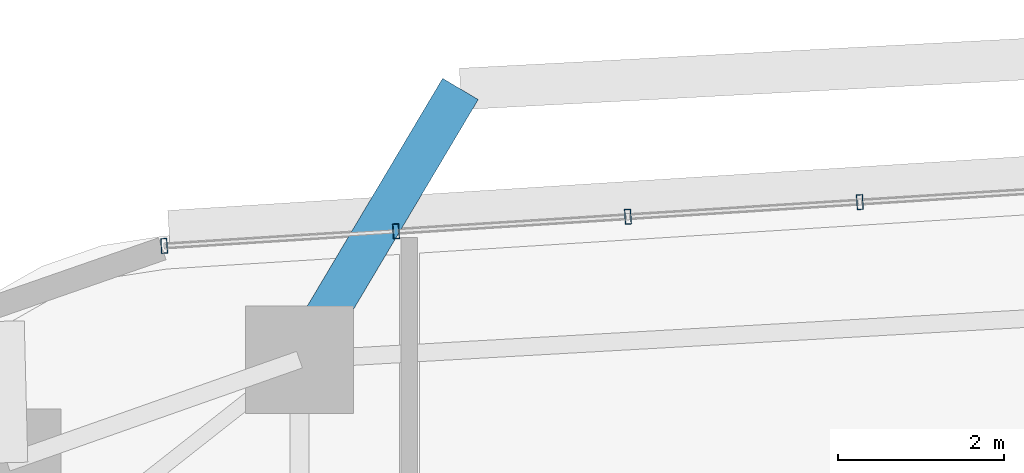
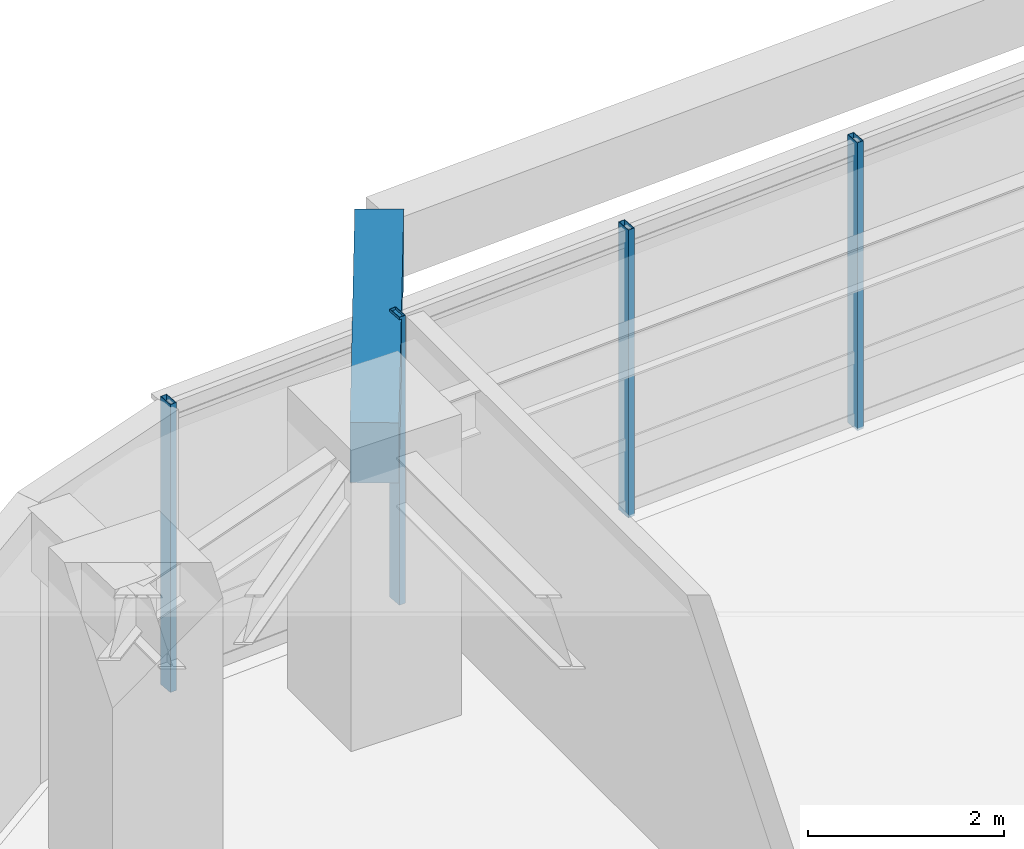
# One storey, part 2 of 11: 4 members, 1 beam, 1 element without a shape of its own.
"""IFC4 building model written with IfcOpenShell, lengths in metres."""

from ifc_helpers import new_model, si_unit, direction, frame, origin, origin_2d, place, context, subcontext, project, spatial, rectangle, hollow_rectangle, extrude, material, material_profile, profile_set, type_object, element, aggregate, save


model = new_model("IFC4")

# Units and contexts
model_context = context("Model", 3, precision=1e-05, world=origin(), true_north=direction((0.0, 1.0)))
body_context = subcontext(model_context, "Body", "Model", "MODEL_VIEW")
ifc_project = project(units=[si_unit("LENGTHUNIT", "METRE"), si_unit("AREAUNIT", "SQUARE_METRE"), si_unit("VOLUMEUNIT", "CUBIC_METRE"), si_unit("PLANEANGLEUNIT", "RADIAN"), si_unit("MASSUNIT", "GRAM", prefix="KILO")], contexts=[model_context])

# Site, building, storey
site_placement = place(None, origin())
site = spatial("IfcSite", under=ifc_project, at=site_placement, CompositionType="ELEMENT")
building_placement = place(site_placement, origin())
building = spatial("IfcBuilding", under=site, at=building_placement, Name="Zulverin Broadcast Headquarters", CompositionType="ELEMENT")
storey_placement = place(building_placement, frame((0.0, 0.0, 32.60009765625)))
storey = spatial("IfcBuildingStorey", under=building, at=storey_placement, Name="L07", CompositionType="ELEMENT", Elevation=32.60009765625)

# Beam
ifc_material_1 = material(Name="Concrete C40/50", Category="concrete")
ifc_material_profile_1 = material_profile(ifc_material_1, rectangle(XDim=0.5, YDim=0.75, at=origin_2d()), Name="Concrete C40/50", Category="concrete")
ifc_profile_set_1 = profile_set([ifc_material_profile_1], Name="Concrete C40/50")
beam_type = type_object("IfcBeamType", Name="BM-RC-500x750", PredefinedType="BEAM", material=ifc_profile_set_1)
beam_placement = place(storey_placement, frame((29.873779296875, 46.482177734375, 3.14990234375), z_axis=(0.511024077234, 0.859566397952, 0.0), x_axis=(-0.859566397952, 0.511024077234, 0.0)))
element("IfcBeam", 1, at=beam_placement, inside=storey, type_object=beam_type, Name="L08 Balcony Column-Framed Cantilever BAL_N-2", PredefinedType="BEAM", context=body_context, shape_type="SweptSolid", body=[
    extrude(rectangle(XDim=0.5, YDim=0.75, at=origin_2d()), origin(), (0.0, 0.0, 1.0), 3.800048828125),
])

# Curtain wall, members
ifc_material_2 = material(Name="Low-zone ribbon unitised curtain wall", Category="aluminium")
curtain_wall_type = type_object("IfcCurtainWallType", Name="CW-TWR-LOW", PredefinedType="USERDEFINED", material=ifc_material_2)
curtain_wall_placement = place(storey_placement, origin())
curtain_wall = element("IfcCurtainWall", 2, at=curtain_wall_placement, inside=storey, type_object=curtain_wall_type, Name="L07 Unitised Curtain Wall CW-L07-E5", ObjectType="UNITISED CURTAIN WALL", PredefinedType="USERDEFINED")
ifc_material_3 = material(Name="Anodized pale-metal aluminium alloy 6063-T6", Category="aluminium")
ifc_material_profile_2 = material_profile(ifc_material_3, hollow_rectangle(XDim=0.074951171875, YDim=0.179931640625, WallThickness=0.0048828125, at=origin_2d()), Name="Anodized pale-metal aluminium alloy 6063-T6", Category="aluminium")
ifc_profile_set_2 = profile_set([ifc_material_profile_2], Name="Anodized pale-metal aluminium alloy 6063-T6")
member_type = type_object("IfcMemberType", Name="CW-MUL-180", PredefinedType="MULLION", material=ifc_profile_set_2)
member_1_placement = place(storey_placement, frame((36.635986328125, 48.38330078125, -0.030029296875), z_axis=(0.0, 0.0, 1.0), x_axis=(-0.998017621976, -0.062935095345, 0.0)))
member_1 = element("IfcMember", 3, at=member_1_placement, type_object=member_type, Name="CW-L07-E5 Mullion 04", PredefinedType="MULLION", context=body_context, shape_type="SweptSolid", body=[
    extrude(hollow_rectangle(XDim=0.074951171875, YDim=0.179931640625, WallThickness=0.0048828125, at=origin_2d()), origin(), (0.0, 0.0, 1.0), 3.5849609375),
])
member_2_placement = place(storey_placement, frame((33.83740234375, 48.206787109375, -0.030029296875), z_axis=(0.0, 0.0, 1.0), x_axis=(-0.998017621976, -0.062935095345, 0.0)))
member_2 = element("IfcMember", 4, at=member_2_placement, type_object=member_type, Name="CW-L07-E5 Mullion 05", PredefinedType="MULLION", context=body_context, shape_type="SweptSolid", body=[
    extrude(hollow_rectangle(XDim=0.074951171875, YDim=0.179931640625, WallThickness=0.0048828125, at=origin_2d()), origin(), (0.0, 0.0, 1.0), 3.5849609375),
])
member_3_placement = place(storey_placement, frame((31.03857421875, 48.030517578125, -0.030029296875), z_axis=(0.0, 0.0, 1.0), x_axis=(-0.998017621976, -0.062935095345, 0.0)))
member_3 = element("IfcMember", 5, at=member_3_placement, type_object=member_type, Name="CW-L07-E5 Mullion 06", PredefinedType="MULLION", context=body_context, shape_type="SweptSolid", body=[
    extrude(hollow_rectangle(XDim=0.074951171875, YDim=0.179931640625, WallThickness=0.0048828125, at=origin_2d()), origin(), (0.0, 0.0, 1.0), 3.5849609375),
])
member_4_placement = place(storey_placement, frame((28.239990234375, 47.85400390625, -0.030029296875), z_axis=(0.0, 0.0, 1.0), x_axis=(-0.998017621976, -0.062935095345, 0.0)))
member_4 = element("IfcMember", 6, at=member_4_placement, type_object=member_type, Name="CW-L07-E5 Mullion 07", PredefinedType="MULLION", context=body_context, shape_type="SweptSolid", body=[
    extrude(hollow_rectangle(XDim=0.074951171875, YDim=0.179931640625, WallThickness=0.0048828125, at=origin_2d()), origin(), (0.0, 0.0, 1.0), 3.5849609375),
])
aggregate(curtain_wall, [member_1, member_2, member_3, member_4])

save(model, "model.ifc")
